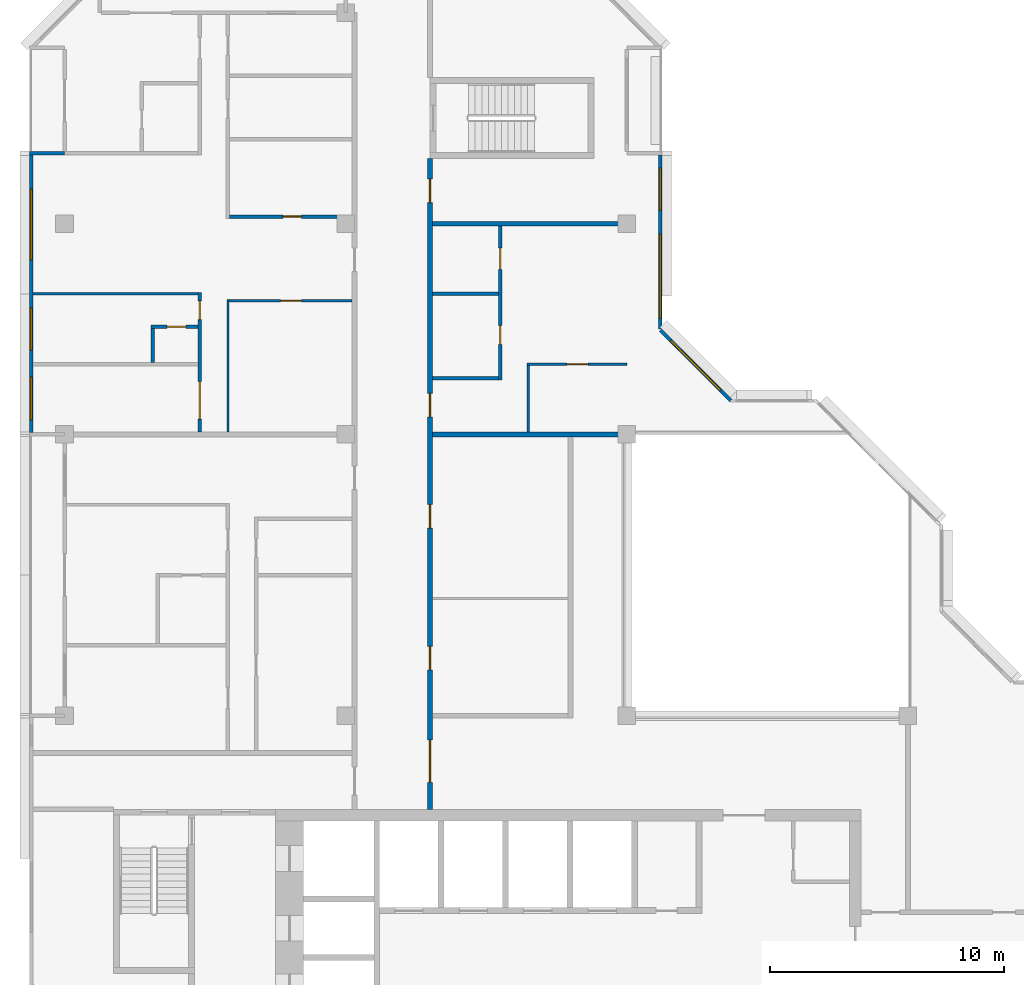
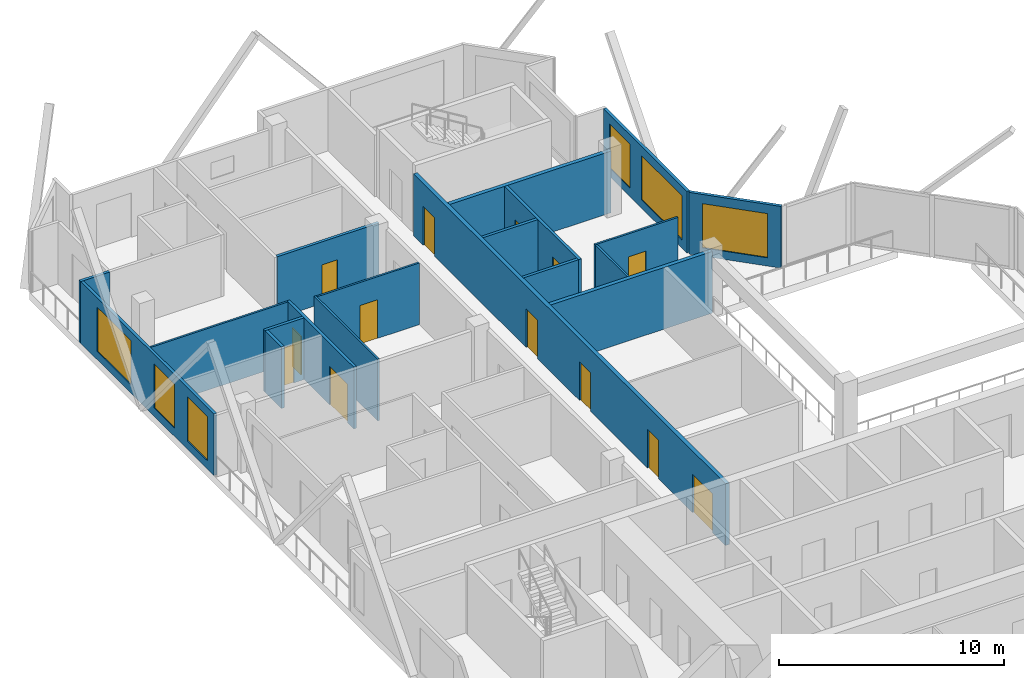
# One storey, part 8 of 12: 19 walls, 13 doors, 6 windows, 19 openings.
"""IFC4 building model written with IfcOpenShell, lengths in metres."""

from ifc_helpers import new_model, si_unit, direction, frame, frame_2d, origin, place, context, subcontext, project, spatial, rectangle, extrude, material, layer, layer_set, type_object, element, fill, save


model = new_model("IFC4")

# Units and contexts
model_context = context("Model", 3, precision=1e-05, world=origin(), true_north=direction((0.0, 1.0)))
body_context = subcontext(model_context, "Body", "Model", "MODEL_VIEW")
ifc_project = project(units=[si_unit("LENGTHUNIT", "METRE"), si_unit("AREAUNIT", "SQUARE_METRE"), si_unit("VOLUMEUNIT", "CUBIC_METRE"), si_unit("PLANEANGLEUNIT", "RADIAN"), si_unit("MASSUNIT", "GRAM", prefix="KILO")], contexts=[model_context])

# Site, building, storey
site_placement = place(None, origin())
site = spatial("IfcSite", under=ifc_project, at=site_placement, CompositionType="ELEMENT")
building_placement = place(site_placement, origin())
building = spatial("IfcBuilding", under=site, at=building_placement, Name="Chenar Terraces", CompositionType="ELEMENT")
storey_placement = place(building_placement, frame((0.0, 0.0, 353.89990234375)))
storey = spatial("IfcBuildingStorey", under=building, at=storey_placement, Name="L82", CompositionType="ELEMENT", Elevation=353.89990234375)

# Wall, openings, doors
ifc_material_1 = material(Name="Gypsum board on steel studs with fire boards", Category="steel")
ifc_layer_1 = layer(ifc_material_1, 0.199951171875)
ifc_layer_set_1 = layer_set([ifc_layer_1], Name="Gypsum board on steel studs with fire boards")
wall_type_1 = type_object("IfcWallType", Name="Corridor wall 200", PredefinedType="PARTITIONING", material=ifc_layer_set_1)
wall_1_placement = place(storey_placement, frame((15.60009765625, 20.0, 0.0), z_axis=(0.0, 0.0, 1.0), x_axis=(0.0, 1.0, 0.0)))
wall_1 = element("IfcWall", 1, at=wall_1_placement, inside=storey, type_object=wall_type_1, Name="Partition L82-034", PredefinedType="PARTITIONING", context=body_context, shape_type="SweptSolid", body=[
    extrude(rectangle(XDim=27.77490234375, YDim=0.199951171875, at=frame_2d((13.887451171875, 0.0))), origin(), (0.0, 0.0, 1.0), 3.35009765625),
])
opening_1_placement = place(wall_1_placement, frame((5.949951171875, 0.0, 0.0)))
opening_1 = element("IfcOpeningElement", 2, at=opening_1_placement, cuts=wall_1, Name="Opening DL82-1", PredefinedType="OPENING", context=body_context, shape_type="SweptSolid", body=[
    extrude(rectangle(XDim=1.0, YDim=2.10009765625, at=frame_2d((0.5, 1.050048828125))), frame((0.0, 0.10986328125, 0.0), z_axis=(0.0, -1.0, 0.0), x_axis=(1.0, 0.0, 0.0)), (0.0, 0.0, 1.0), 0.219970703125),
])
opening_2_placement = place(wall_1_placement, frame((12.0, 0.0, 0.0)))
opening_2 = element("IfcOpeningElement", 3, at=opening_2_placement, cuts=wall_1, Name="Opening DL82-2", PredefinedType="OPENING", context=body_context, shape_type="SweptSolid", body=[
    extrude(rectangle(XDim=1.0, YDim=2.10009765625, at=frame_2d((0.5, 1.050048828125))), frame((0.0, 0.10986328125, 0.0), z_axis=(0.0, -1.0, 0.0), x_axis=(1.0, 0.0, 0.0)), (0.0, 0.0, 1.0), 0.219970703125),
])
opening_3_placement = place(wall_1_placement, frame((16.75, 0.0, 0.0)))
opening_3 = element("IfcOpeningElement", 4, at=opening_3_placement, cuts=wall_1, Name="Opening DL82-7", PredefinedType="OPENING", context=body_context, shape_type="SweptSolid", body=[
    extrude(rectangle(XDim=1.0, YDim=2.10009765625, at=frame_2d((0.5, 1.050048828125))), frame((0.0, 0.10986328125, 0.0), z_axis=(0.0, -1.0, 0.0), x_axis=(1.0, 0.0, 0.0)), (0.0, 0.0, 1.0), 0.219970703125),
])
opening_4_placement = place(wall_1_placement, frame((1.14990234375, 0.0, 0.0)))
opening_4 = element("IfcOpeningElement", 5, at=opening_4_placement, cuts=wall_1, Name="Opening DL82-19", PredefinedType="OPENING", context=body_context, shape_type="SweptSolid", body=[
    extrude(rectangle(XDim=1.800048828125, YDim=2.10009765625, at=frame_2d((0.89990234375, 1.050048828125))), frame((0.0, 0.10986328125, 0.0), z_axis=(0.0, -1.0, 0.0), x_axis=(1.0, 0.0, 0.0)), (0.0, 0.0, 1.0), 0.219970703125),
])
opening_5_placement = place(wall_1_placement, frame((25.89990234375, 0.0, 0.0)))
opening_5 = element("IfcOpeningElement", 6, at=opening_5_placement, cuts=wall_1, Name="Opening DL82-22", PredefinedType="OPENING", context=body_context, shape_type="SweptSolid", body=[
    extrude(rectangle(XDim=1.0, YDim=2.10009765625, at=frame_2d((0.5, 1.050048828125))), frame((0.0, 0.10986328125, 0.0), z_axis=(0.0, -1.0, 0.0), x_axis=(1.0, 0.0, 0.0)), (0.0, 0.0, 1.0), 0.219970703125),
])
ifc_material_2 = material(Name="Steel-framed fire-resisting door leaf", Category="steel")
door_type_1 = type_object("IfcDoorType", Name="Fire door FD60 1000 x 2100", OperationType="SINGLE_SWING_LEFT", PredefinedType="DOOR", material=ifc_material_2)
door_1_placement = place(opening_1_placement, frame((1.0, 0.0, 0.0), z_axis=(0.0, 0.0, 1.0), x_axis=(-1.0, 0.0, 0.0)))
door_1 = element("IfcDoor", 7, at=door_1_placement, inside=storey, type_object=door_type_1, Name="Door DL82-1", OperationType="SINGLE_SWING_LEFT", OverallHeight=2.10009765625, OverallWidth=1.0, PredefinedType="DOOR", context=body_context, shape_type="SweptSolid", body=[
    extrude(rectangle(XDim=1.0, YDim=2.10009765625, at=frame_2d((0.5, 1.050048828125))), frame((0.0, 0.02490234375, 0.0), z_axis=(0.0, -1.0, 0.0), x_axis=(1.0, 0.0, 0.0)), (0.0, 0.0, 1.0), 0.050048828125),
])
fill(opening_1, door_1)
door_2_placement = place(opening_2_placement, frame((1.0, 0.0, 0.0), z_axis=(0.0, 0.0, 1.0), x_axis=(-1.0, 0.0, 0.0)))
door_2 = element("IfcDoor", 8, at=door_2_placement, inside=storey, type_object=door_type_1, Name="Door DL82-2", OperationType="SINGLE_SWING_LEFT", OverallHeight=2.10009765625, OverallWidth=1.0, PredefinedType="DOOR", context=body_context, shape_type="SweptSolid", body=[
    extrude(rectangle(XDim=1.0, YDim=2.10009765625, at=frame_2d((0.5, 1.050048828125))), frame((0.0, 0.02490234375, 0.0), z_axis=(0.0, -1.0, 0.0), x_axis=(1.0, 0.0, 0.0)), (0.0, 0.0, 1.0), 0.050048828125),
])
fill(opening_2, door_2)
door_3_placement = place(opening_3_placement, frame((1.0, 0.0, 0.0), z_axis=(0.0, 0.0, 1.0), x_axis=(-1.0, 0.0, 0.0)))
door_3 = element("IfcDoor", 9, at=door_3_placement, inside=storey, type_object=door_type_1, Name="Door DL82-7", OperationType="SINGLE_SWING_LEFT", OverallHeight=2.10009765625, OverallWidth=1.0, PredefinedType="DOOR", context=body_context, shape_type="SweptSolid", body=[
    extrude(rectangle(XDim=1.0, YDim=2.10009765625, at=frame_2d((0.5, 1.050048828125))), frame((0.0, 0.02490234375, 0.0), z_axis=(0.0, -1.0, 0.0), x_axis=(1.0, 0.0, 0.0)), (0.0, 0.0, 1.0), 0.050048828125),
])
fill(opening_3, door_3)
door_4_placement = place(opening_5_placement, frame((1.0, 0.0, 0.0), z_axis=(0.0, 0.0, 1.0), x_axis=(-1.0, 0.0, 0.0)))
door_4 = element("IfcDoor", 10, at=door_4_placement, inside=storey, type_object=door_type_1, Name="Door DL82-22", OperationType="SINGLE_SWING_RIGHT", OverallHeight=2.10009765625, OverallWidth=1.0, PredefinedType="DOOR", context=body_context, shape_type="SweptSolid", body=[
    extrude(rectangle(XDim=1.0, YDim=2.10009765625, at=frame_2d((0.5, 1.050048828125))), frame((0.0, 0.02490234375, 0.0), z_axis=(0.0, -1.0, 0.0), x_axis=(1.0, 0.0, 0.0)), (0.0, 0.0, 1.0), 0.050048828125),
])
fill(opening_5, door_4)
ifc_material_3 = material(Name="Steel-framed fire-resisting door leaf", Category="steel")
door_type_2 = type_object("IfcDoorType", Name="Fire double door FD60 1800 x 2100", OperationType="DOUBLE_DOOR_SINGLE_SWING", PredefinedType="DOOR", material=ifc_material_3)
door_5_placement = place(opening_4_placement, frame((1.800048828125, 0.0, 0.0), z_axis=(0.0, 0.0, 1.0), x_axis=(-1.0, 0.0, 0.0)))
door_5 = element("IfcDoor", 11, at=door_5_placement, inside=storey, type_object=door_type_2, Name="Door DL82-19", OperationType="DOUBLE_DOOR_SINGLE_SWING", OverallHeight=2.10009765625, OverallWidth=1.800048828125, PredefinedType="DOOR", context=body_context, shape_type="SweptSolid", body=[
    extrude(rectangle(XDim=1.800048828125, YDim=2.10009765625, at=frame_2d((0.89990234375, 1.050048828125))), frame((0.0, 0.02490234375, 0.0), z_axis=(0.0, -1.0, 0.0), x_axis=(1.0, 0.0, 0.0)), (0.0, 0.0, 1.0), 0.050048828125),
])
fill(opening_4, door_5)

# Wall, openings, windows
ifc_material_4 = material(Name="Aluminium framed glazing", Category="aluminium")
ifc_layer_2 = layer(ifc_material_4, 0.14990234375)
ifc_layer_set_2 = layer_set([ifc_layer_2], Name="Aluminium framed glazing")
wall_type_2 = type_object("IfcWallType", Name="Glazed flush facade wall 150", PredefinedType="SOLIDWALL", material=ifc_layer_set_2)
wall_2_placement = place(storey_placement, frame((25.425048828125, 40.5, 0.0), z_axis=(0.0, 0.0, 1.0), x_axis=(0.0, 1.0, 0.0)))
wall_2 = element("IfcWall", 12, at=wall_2_placement, inside=storey, type_object=wall_type_2, Name="Glazed flush facade wall", PredefinedType="SOLIDWALL", context=body_context, shape_type="SweptSolid", body=[
    extrude(rectangle(XDim=7.425048828125, YDim=0.14990234375, at=frame_2d((3.71240234375, 0.0))), origin(), (0.0, 0.0, 1.0), 3.35009765625),
])
opening_6_placement = place(wall_2_placement, frame((0.449951171875, 0.0, 0.449951171875)))
opening_6 = element("IfcOpeningElement", 13, at=opening_6_placement, cuts=wall_2, Name="Opening W360x240", PredefinedType="OPENING", context=body_context, shape_type="SweptSolid", body=[
    extrude(rectangle(XDim=3.60009765625, YDim=2.39990234375, at=frame_2d((1.800048828125, 1.199951171875))), frame((0.0, 0.0849609375, 0.0), z_axis=(0.0, -1.0, 0.0), x_axis=(1.0, 0.0, 0.0)), (0.0, 0.0, 1.0), 0.169921875),
])
opening_7_placement = place(wall_2_placement, frame((5.0625, 0.0, 0.449951171875)))
opening_7 = element("IfcOpeningElement", 14, at=opening_7_placement, cuts=wall_2, Name="Opening W180x240", PredefinedType="OPENING", context=body_context, shape_type="SweptSolid", body=[
    extrude(rectangle(XDim=1.800048828125, YDim=2.39990234375, at=frame_2d((0.89990234375, 1.199951171875))), frame((0.0, 0.0849609375, 0.0), z_axis=(0.0, -1.0, 0.0), x_axis=(1.0, 0.0, 0.0)), (0.0, 0.0, 1.0), 0.169921875),
])
ifc_material_5 = material(Name="Low emissivity double glazing, aluminium frame", Category="aluminium")
window_type_1 = type_object("IfcWindowType", Name="Fixed light 1800 x 2400", PartitioningType="SINGLE_PANEL", PredefinedType="WINDOW", material=ifc_material_5)
window_1_placement = place(opening_7_placement, origin())
window_1 = element("IfcWindow", 15, at=window_1_placement, inside=storey, type_object=window_type_1, Name="Window", OverallHeight=2.39990234375, OverallWidth=1.800048828125, PartitioningType="SINGLE_PANEL", PredefinedType="WINDOW", context=body_context, shape_type="SweptSolid", body=[
    extrude(rectangle(XDim=1.800048828125, YDim=2.39990234375, at=frame_2d((0.89990234375, 1.199951171875))), frame((0.0, 0.030029296875, 0.0), z_axis=(0.0, -1.0, 0.0), x_axis=(1.0, 0.0, 0.0)), (0.0, 0.0, 1.0), 0.06005859375),
])
fill(opening_7, window_1)
ifc_material_6 = material(Name="Low emissivity double glazing, aluminium frame", Category="aluminium")
window_type_2 = type_object("IfcWindowType", Name="Fixed light 3600 x 2400", PartitioningType="SINGLE_PANEL", PredefinedType="WINDOW", material=ifc_material_6)
window_2_placement = place(opening_6_placement, origin())
window_2 = element("IfcWindow", 16, at=window_2_placement, inside=storey, type_object=window_type_2, Name="Window", OverallHeight=2.39990234375, OverallWidth=3.60009765625, PartitioningType="SINGLE_PANEL", PredefinedType="WINDOW", context=body_context, shape_type="SweptSolid", body=[
    extrude(rectangle(XDim=3.60009765625, YDim=2.39990234375, at=frame_2d((1.800048828125, 1.199951171875))), frame((0.0, 0.030029296875, 0.0), z_axis=(0.0, -1.0, 0.0), x_axis=(1.0, 0.0, 0.0)), (0.0, 0.0, 1.0), 0.06005859375),
])
fill(opening_6, window_2)

wall_3_placement = place(storey_placement, frame((-1.425048828125, 47.925048828125, 0.0), z_axis=(0.0, 0.0, 1.0), x_axis=(0.0, -1.0, 0.0)))
wall_3 = element("IfcWall", 17, at=wall_3_placement, inside=storey, type_object=wall_type_2, Name="Glazed flush facade wall", PredefinedType="SOLIDWALL", context=body_context, shape_type="SweptSolid", body=[
    extrude(rectangle(XDim=11.85009765625, YDim=0.14990234375, at=frame_2d((5.925048828125, 0.0))), origin(), (0.0, 0.0, 1.0), 3.35009765625),
])
opening_8_placement = place(wall_3_placement, frame((1.46240234375, 0.0, 0.449951171875)))
opening_8 = element("IfcOpeningElement", 18, at=opening_8_placement, cuts=wall_3, Name="Opening W300x240", PredefinedType="OPENING", context=body_context, shape_type="SweptSolid", body=[
    extrude(rectangle(XDim=3.0, YDim=2.39990234375, at=frame_2d((1.5, 1.199951171875))), frame((0.0, 0.0849609375, 0.0), z_axis=(0.0, -1.0, 0.0), x_axis=(1.0, 0.0, 0.0)), (0.0, 0.0, 1.0), 0.169921875),
])
opening_9_placement = place(wall_3_placement, frame((6.52490234375, 0.0, 0.449951171875)))
opening_9 = element("IfcOpeningElement", 19, at=opening_9_placement, cuts=wall_3, Name="Opening W180x240", PredefinedType="OPENING", context=body_context, shape_type="SweptSolid", body=[
    extrude(rectangle(XDim=1.800048828125, YDim=2.39990234375, at=frame_2d((0.89990234375, 1.199951171875))), frame((0.0, 0.0849609375, 0.0), z_axis=(0.0, -1.0, 0.0), x_axis=(1.0, 0.0, 0.0)), (0.0, 0.0, 1.0), 0.169921875),
])
opening_10_placement = place(wall_3_placement, frame((9.487548828125, 0.0, 0.449951171875)))
opening_10 = element("IfcOpeningElement", 20, at=opening_10_placement, cuts=wall_3, Name="Opening W180x240", PredefinedType="OPENING", context=body_context, shape_type="SweptSolid", body=[
    extrude(rectangle(XDim=1.800048828125, YDim=2.39990234375, at=frame_2d((0.89990234375, 1.199951171875))), frame((0.0, 0.0849609375, 0.0), z_axis=(0.0, -1.0, 0.0), x_axis=(1.0, 0.0, 0.0)), (0.0, 0.0, 1.0), 0.169921875),
])
window_3_placement = place(opening_9_placement, origin())
window_3 = element("IfcWindow", 21, at=window_3_placement, inside=storey, type_object=window_type_1, Name="Window", OverallHeight=2.39990234375, OverallWidth=1.800048828125, PartitioningType="SINGLE_PANEL", PredefinedType="WINDOW", context=body_context, shape_type="SweptSolid", body=[
    extrude(rectangle(XDim=1.800048828125, YDim=2.39990234375, at=frame_2d((0.89990234375, 1.199951171875))), frame((0.0, 0.030029296875, 0.0), z_axis=(0.0, -1.0, 0.0), x_axis=(1.0, 0.0, 0.0)), (0.0, 0.0, 1.0), 0.06005859375),
])
fill(opening_9, window_3)
window_4_placement = place(opening_10_placement, origin())
window_4 = element("IfcWindow", 22, at=window_4_placement, inside=storey, type_object=window_type_1, Name="Window", OverallHeight=2.39990234375, OverallWidth=1.800048828125, PartitioningType="SINGLE_PANEL", PredefinedType="WINDOW", context=body_context, shape_type="SweptSolid", body=[
    extrude(rectangle(XDim=1.800048828125, YDim=2.39990234375, at=frame_2d((0.89990234375, 1.199951171875))), frame((0.0, 0.030029296875, 0.0), z_axis=(0.0, -1.0, 0.0), x_axis=(1.0, 0.0, 0.0)), (0.0, 0.0, 1.0), 0.06005859375),
])
fill(opening_10, window_4)
ifc_material_7 = material(Name="Low emissivity double glazing, aluminium frame", Category="aluminium")
window_type_3 = type_object("IfcWindowType", Name="Fixed light 3000 x 2400", PartitioningType="SINGLE_PANEL", PredefinedType="WINDOW", material=ifc_material_7)
window_5_placement = place(opening_8_placement, origin())
window_5 = element("IfcWindow", 23, at=window_5_placement, inside=storey, type_object=window_type_3, Name="Window", OverallHeight=2.39990234375, OverallWidth=3.0, PartitioningType="SINGLE_PANEL", PredefinedType="WINDOW", context=body_context, shape_type="SweptSolid", body=[
    extrude(rectangle(XDim=3.0, YDim=2.39990234375, at=frame_2d((1.5, 1.199951171875))), frame((0.0, 0.030029296875, 0.0), z_axis=(0.0, -1.0, 0.0), x_axis=(1.0, 0.0, 0.0)), (0.0, 0.0, 1.0), 0.06005859375),
])
fill(opening_8, window_5)

# Walls
ifc_material_8 = material(Name="Gypsum board on steel studs", Category="steel")
ifc_layer_3 = layer(ifc_material_8, 0.10009765625)
ifc_layer_set_3 = layer_set([ifc_layer_3], Name="Gypsum board on steel studs")
wall_type_3 = type_object("IfcWallType", Name="Gypsum partition 100", PredefinedType="PARTITIONING", material=ifc_layer_set_3)
wall_4_placement = place(storey_placement, frame((-1.35009765625, 42.0, 0.0), z_axis=(0.0, 0.0, 1.0), x_axis=(1.0, 0.0, 0.0)))
element("IfcWall", 24, at=wall_4_placement, inside=storey, type_object=wall_type_3, Name="Partition L82-005", PredefinedType="PARTITIONING", context=body_context, shape_type="SweptSolid", body=[
    extrude(rectangle(XDim=7.050048828125, YDim=0.10009765625, at=frame_2d((3.52490234375, 0.0))), origin(), (0.0, 0.0, 1.0), 3.35009765625),
])
wall_5_placement = place(storey_placement, frame((6.97509765625, 36.10009765625, 0.0), z_axis=(0.0, 0.0, 1.0), x_axis=(0.0, 1.0, 0.0)))
element("IfcWall", 25, at=wall_5_placement, inside=storey, type_object=wall_type_3, Name="Partition L82-019", PredefinedType="PARTITIONING", context=body_context, shape_type="SweptSolid", body=[
    extrude(rectangle(XDim=5.64990234375, YDim=0.10009765625, at=frame_2d((2.824951171875, 0.0))), origin(), (0.0, 0.0, 1.0), 3.35009765625),
])

# Wall, opening, door
wall_6_placement = place(storey_placement, frame((7.02490234375, 41.699951171875, 0.0), z_axis=(0.0, 0.0, 1.0), x_axis=(1.0, 0.0, 0.0)))
wall_6 = element("IfcWall", 26, at=wall_6_placement, inside=storey, type_object=wall_type_3, Name="Partition L82-021", PredefinedType="PARTITIONING", context=body_context, shape_type="SweptSolid", body=[
    extrude(rectangle(XDim=5.25, YDim=0.10009765625, at=frame_2d((2.625, 0.0))), origin(), (0.0, 0.0, 1.0), 3.35009765625),
])
opening_11_placement = place(wall_6_placement, frame((2.199951171875, 0.0, 0.0)))
opening_11 = element("IfcOpeningElement", 27, at=opening_11_placement, cuts=wall_6, Name="Opening DL82-11", PredefinedType="OPENING", context=body_context, shape_type="SweptSolid", body=[
    extrude(rectangle(XDim=0.89990234375, YDim=2.10009765625, at=frame_2d((0.449951171875, 1.050048828125))), frame((0.0, 0.06005859375, 0.0), z_axis=(0.0, -1.0, 0.0), x_axis=(1.0, 0.0, 0.0)), (0.0, 0.0, 1.0), 0.1201171875),
])
ifc_material_9 = material(Name="Veneered timber door leaf", Category="wood")
door_type_3 = type_object("IfcDoorType", Name="Door 900 x 2100", OperationType="SINGLE_SWING_LEFT", PredefinedType="DOOR", material=ifc_material_9)
door_6_placement = place(opening_11_placement, frame((0.89990234375, 0.0, 0.0), z_axis=(0.0, 0.0, 1.0), x_axis=(-1.0, 0.0, 0.0)))
door_6 = element("IfcDoor", 28, at=door_6_placement, inside=storey, type_object=door_type_3, Name="Door DL82-11", OperationType="SINGLE_SWING_LEFT", OverallHeight=2.10009765625, OverallWidth=0.89990234375, PredefinedType="DOOR", context=body_context, shape_type="SweptSolid", body=[
    extrude(rectangle(XDim=0.89990234375, YDim=2.10009765625, at=frame_2d((0.449951171875, 1.050048828125))), frame((0.0, 0.02490234375, 0.0), z_axis=(0.0, -1.0, 0.0), x_axis=(1.0, 0.0, 0.0)), (0.0, 0.0, 1.0), 0.050048828125),
])
fill(opening_11, door_6)

wall_7_placement = place(storey_placement, frame((19.75, 39.0, 0.0), z_axis=(0.0, 0.0, 1.0), x_axis=(1.0, 0.0, 0.0)))
wall_7 = element("IfcWall", 29, at=wall_7_placement, inside=storey, type_object=wall_type_3, Name="Partition L82-044", PredefinedType="PARTITIONING", context=body_context, shape_type="SweptSolid", body=[
    extrude(rectangle(XDim=4.25, YDim=0.10009765625, at=frame_2d((2.125, 0.0))), origin(), (0.0, 0.0, 1.0), 3.35009765625),
])
opening_12_placement = place(wall_7_placement, frame((1.699951171875, 0.0, 0.0)))
opening_12 = element("IfcOpeningElement", 30, at=opening_12_placement, cuts=wall_7, Name="Opening DL82-5", PredefinedType="OPENING", context=body_context, shape_type="SweptSolid", body=[
    extrude(rectangle(XDim=0.89990234375, YDim=2.10009765625, at=frame_2d((0.449951171875, 1.050048828125))), frame((0.0, 0.06005859375, 0.0), z_axis=(0.0, -1.0, 0.0), x_axis=(1.0, 0.0, 0.0)), (0.0, 0.0, 1.0), 0.1201171875),
])
door_7_placement = place(opening_12_placement, frame((0.89990234375, 0.0, 0.0), z_axis=(0.0, 0.0, 1.0), x_axis=(-1.0, 0.0, 0.0)))
door_7 = element("IfcDoor", 31, at=door_7_placement, inside=storey, type_object=door_type_3, Name="Door DL82-5", OperationType="SINGLE_SWING_RIGHT", OverallHeight=2.10009765625, OverallWidth=0.89990234375, PredefinedType="DOOR", context=body_context, shape_type="SweptSolid", body=[
    extrude(rectangle(XDim=0.89990234375, YDim=2.10009765625, at=frame_2d((0.449951171875, 1.050048828125))), frame((0.0, 0.02490234375, 0.0), z_axis=(0.0, -1.0, 0.0), x_axis=(1.0, 0.0, 0.0)), (0.0, 0.0, 1.0), 0.050048828125),
])
fill(opening_12, door_7)

# Walls
wall_8_placement = place(storey_placement, frame((19.800048828125, 36.10009765625, 0.0), z_axis=(0.0, 0.0, 1.0), x_axis=(0.0, 1.0, 0.0)))
element("IfcWall", 32, at=wall_8_placement, inside=storey, type_object=wall_type_3, Name="Partition L82-045", PredefinedType="PARTITIONING", context=body_context, shape_type="SweptSolid", body=[
    extrude(rectangle(XDim=2.849853515625, YDim=0.10009765625, at=frame_2d((1.4248046875, 0.0))), origin(), (0.0, 0.0, 1.0), 3.35009765625),
])
ifc_material_10 = material(Name="Terracotta cladding on insulated backing", Category="masonry")
ifc_layer_4 = layer(ifc_material_10, 0.14990234375)
ifc_layer_set_4 = layer_set([ifc_layer_4], Name="Terracotta cladding on insulated backing")
wall_type_4 = type_object("IfcWallType", Name="Loggia return wall 150", PredefinedType="SOLIDWALL", material=ifc_layer_set_4)
wall_9_placement = place(storey_placement, frame((-1.5, 48.0, 0.0), z_axis=(0.0, 0.0, 1.0), x_axis=(1.0, 0.0, 0.0)))
element("IfcWall", 33, at=wall_9_placement, inside=storey, type_object=wall_type_4, Name="Loggia return wall", PredefinedType="SOLIDWALL", context=body_context, shape_type="SweptSolid", body=[
    extrude(rectangle(XDim=1.5, YDim=0.14990234375, at=frame_2d((0.75, 0.0))), origin(), (0.0, 0.0, 1.0), 3.35009765625),
])

# Wall, opening, window
ifc_material_11 = material(Name="Terracotta cladding on insulated backing", Category="masonry")
ifc_layer_5 = layer(ifc_material_11, 0.14990234375)
ifc_layer_set_5 = layer_set([ifc_layer_5], Name="Terracotta cladding on insulated backing")
wall_type_5 = type_object("IfcWallType", Name="Terracotta rainscreen wall 150", PredefinedType="SOLIDWALL", material=ifc_layer_set_5)
wall_10_placement = place(storey_placement, frame((28.447021484375, 37.447021484375, 0.0), z_axis=(0.0, 0.0, 1.0), x_axis=(-0.707106781187, 0.707106781187, 0.0)))
wall_10 = element("IfcWall", 34, at=wall_10_placement, inside=storey, type_object=wall_type_5, Name="Terracotta rainscreen wall", PredefinedType="SOLIDWALL", context=body_context, shape_type="SweptSolid", body=[
    extrude(rectangle(XDim=4.24267578125, YDim=0.14990234375, at=frame_2d((2.121337890625, 0.0))), origin(), (0.0, 0.0, 1.0), 3.35009765625),
])
opening_13_placement = place(wall_10_placement, frame((0.621337890625, 0.0, 0.449951171875)))
opening_13 = element("IfcOpeningElement", 35, at=opening_13_placement, cuts=wall_10, Name="Opening W300x240", PredefinedType="OPENING", context=body_context, shape_type="SweptSolid", body=[
    extrude(rectangle(XDim=3.0, YDim=2.39990234375, at=frame_2d((1.5, 1.199951171875))), frame((0.0, 0.0849609375, 0.0), z_axis=(0.0, -1.0, 0.0), x_axis=(1.0, 0.0, 0.0)), (0.0, 0.0, 1.0), 0.169921875),
])
window_6_placement = place(opening_13_placement, origin())
window_6 = element("IfcWindow", 36, at=window_6_placement, inside=storey, type_object=window_type_3, Name="Window", OverallHeight=2.39990234375, OverallWidth=3.0, PartitioningType="SINGLE_PANEL", PredefinedType="WINDOW", context=body_context, shape_type="SweptSolid", body=[
    extrude(rectangle(XDim=3.0, YDim=2.39990234375, at=frame_2d((1.5, 1.199951171875))), frame((0.0, 0.030029296875, 0.0), z_axis=(0.0, -1.0, 0.0), x_axis=(1.0, 0.0, 0.0)), (0.0, 0.0, 1.0), 0.06005859375),
])
fill(opening_13, window_6)

# Walls
ifc_material_12 = material(Name="Twin gypsum board on steel studs with mineral wool", Category="steel")
ifc_layer_6 = layer(ifc_material_12, 0.199951171875)
ifc_layer_set_6 = layer_set([ifc_layer_6], Name="Twin gypsum board on steel studs with mineral wool")
wall_type_6 = type_object("IfcWallType", Name="Unit demising wall 200", PredefinedType="PARTITIONING", material=ifc_layer_set_6)
for number, where, z_axis, x_axis, name in (
    (37, (15.699951171875, 36.0, 0.0), (0.0, 0.0, 1.0), (1.0, 0.0, 0.0), "Partition L82-038"),
    (38, (15.699951171875, 45.0, 0.0), (0.0, 0.0, 1.0), (1.0, 0.0, 0.0), "Partition L82-041"),
):
    element("IfcWall", number, at=place(storey_placement, frame(where, z_axis=z_axis, x_axis=x_axis)), inside=storey, type_object=wall_type_6, Name=name, PredefinedType="PARTITIONING", context=body_context, shape_type="SweptSolid", body=[
        extrude(rectangle(XDim=8.300048828125, YDim=0.199951171875, at=frame_2d((4.14990234375, 0.0))), origin(), (0.0, 0.0, 1.0), 3.35009765625),
    ])

# Wall, opening, door
ifc_material_13 = material(Name="Moisture-resistant gypsum board on steel studs", Category="steel")
ifc_layer_7 = layer(ifc_material_13, 0.14990234375)
ifc_layer_set_7 = layer_set([ifc_layer_7], Name="Moisture-resistant gypsum board on steel studs")
wall_type_7 = type_object("IfcWallType", Name="Wet-room partition 150", PredefinedType="PARTITIONING", material=ifc_layer_set_7)
wall_11_placement = place(storey_placement, frame((3.699951171875, 40.60009765625, 0.0), z_axis=(0.0, 0.0, 1.0), x_axis=(1.0, 0.0, 0.0)))
wall_11 = element("IfcWall", 39, at=wall_11_placement, inside=storey, type_object=wall_type_7, Name="Partition L82-012", PredefinedType="PARTITIONING", context=body_context, shape_type="SweptSolid", body=[
    extrude(rectangle(XDim=2.0, YDim=0.14990234375, at=frame_2d((1.0, 0.0))), origin(), (0.0, 0.0, 1.0), 3.35009765625),
])
opening_14_placement = place(wall_11_placement, frame((0.675048828125, 0.0, 0.0)))
opening_14 = element("IfcOpeningElement", 40, at=opening_14_placement, cuts=wall_11, Name="Opening DL82-15", PredefinedType="OPENING", context=body_context, shape_type="SweptSolid", body=[
    extrude(rectangle(XDim=0.800048828125, YDim=2.10009765625, at=frame_2d((0.39990234375, 1.050048828125))), frame((0.0, 0.0849609375, 0.0), z_axis=(0.0, -1.0, 0.0), x_axis=(1.0, 0.0, 0.0)), (0.0, 0.0, 1.0), 0.169921875),
])
ifc_material_14 = material(Name="Veneered timber door leaf", Category="wood")
door_type_4 = type_object("IfcDoorType", Name="Door 800 x 2100", OperationType="SINGLE_SWING_LEFT", PredefinedType="DOOR", material=ifc_material_14)
door_8_placement = place(opening_14_placement, frame((0.800048828125, 0.0, 0.0), z_axis=(0.0, 0.0, 1.0), x_axis=(-1.0, 0.0, 0.0)))
door_8 = element("IfcDoor", 41, at=door_8_placement, inside=storey, type_object=door_type_4, Name="Door DL82-15", OperationType="SINGLE_SWING_RIGHT", OverallHeight=2.10009765625, OverallWidth=0.800048828125, PredefinedType="DOOR", context=body_context, shape_type="SweptSolid", body=[
    extrude(rectangle(XDim=0.800048828125, YDim=2.10009765625, at=frame_2d((0.39990234375, 1.050048828125))), frame((0.0, 0.02490234375, 0.0), z_axis=(0.0, -1.0, 0.0), x_axis=(1.0, 0.0, 0.0)), (0.0, 0.0, 1.0), 0.050048828125),
])
fill(opening_14, door_8)

# Wall
wall_12_placement = place(storey_placement, frame((3.77490234375, 39.074951171875, 0.0), z_axis=(0.0, 0.0, 1.0), x_axis=(0.0, 1.0, 0.0)))
element("IfcWall", 42, at=wall_12_placement, inside=storey, type_object=wall_type_7, Name="Partition L82-013", PredefinedType="PARTITIONING", context=body_context, shape_type="SweptSolid", body=[
    extrude(rectangle(XDim=1.449951171875, YDim=0.14990234375, at=frame_2d((0.72509765625, 0.0))), origin(), (0.0, 0.0, 1.0), 3.35009765625),
])

# Wall, openings, doors
wall_13_placement = place(storey_placement, frame((5.77490234375, 36.10009765625, 0.0), z_axis=(0.0, 0.0, 1.0), x_axis=(0.0, 1.0, 0.0)))
wall_13 = element("IfcWall", 43, at=wall_13_placement, inside=storey, type_object=wall_type_7, Name="Partition L82-016", PredefinedType="PARTITIONING", context=body_context, shape_type="SweptSolid", body=[
    extrude(rectangle(XDim=5.949951171875, YDim=0.14990234375, at=frame_2d((2.97509765625, 0.0))), origin(), (0.0, 0.0, 1.0), 3.35009765625),
])
opening_15_placement = place(wall_13_placement, frame((4.800048828125, 0.0, 0.0)))
opening_15 = element("IfcOpeningElement", 44, at=opening_15_placement, cuts=wall_13, Name="Opening DL82-14", PredefinedType="OPENING", context=body_context, shape_type="SweptSolid", body=[
    extrude(rectangle(XDim=0.800048828125, YDim=2.10009765625, at=frame_2d((0.39990234375, 1.050048828125))), frame((0.0, 0.0849609375, 0.0), z_axis=(0.0, -1.0, 0.0), x_axis=(1.0, 0.0, 0.0)), (0.0, 0.0, 1.0), 0.169921875),
])
opening_16_placement = place(wall_13_placement, frame((0.550048828125, 0.0, 0.0)))
opening_16 = element("IfcOpeningElement", 45, at=opening_16_placement, cuts=wall_13, Name="Opening DL82-16", PredefinedType="OPENING", context=body_context, shape_type="SweptSolid", body=[
    extrude(rectangle(XDim=1.60009765625, YDim=2.10009765625, at=frame_2d((0.800048828125, 1.050048828125))), frame((0.0, 0.0849609375, 0.0), z_axis=(0.0, -1.0, 0.0), x_axis=(1.0, 0.0, 0.0)), (0.0, 0.0, 1.0), 0.169921875),
])
door_9_placement = place(opening_15_placement, origin())
door_9 = element("IfcDoor", 46, at=door_9_placement, inside=storey, type_object=door_type_4, Name="Door DL82-14", OperationType="SINGLE_SWING_RIGHT", OverallHeight=2.10009765625, OverallWidth=0.800048828125, PredefinedType="DOOR", context=body_context, shape_type="SweptSolid", body=[
    extrude(rectangle(XDim=0.800048828125, YDim=2.10009765625, at=frame_2d((0.39990234375, 1.050048828125))), frame((0.0, 0.02490234375, 0.0), z_axis=(0.0, -1.0, 0.0), x_axis=(1.0, 0.0, 0.0)), (0.0, 0.0, 1.0), 0.050048828125),
])
fill(opening_15, door_9)
ifc_material_15 = material(Name="Veneered timber door leaf", Category="wood")
door_type_5 = type_object("IfcDoorType", Name="Double door 1600 x 2100", OperationType="DOUBLE_DOOR_SINGLE_SWING", PredefinedType="DOOR", material=ifc_material_15)
door_10_placement = place(opening_16_placement, origin())
door_10 = element("IfcDoor", 47, at=door_10_placement, inside=storey, type_object=door_type_5, Name="Door DL82-16", OperationType="DOUBLE_DOOR_SINGLE_SWING", OverallHeight=2.10009765625, OverallWidth=1.60009765625, PredefinedType="DOOR", context=body_context, shape_type="SweptSolid", body=[
    extrude(rectangle(XDim=1.60009765625, YDim=2.10009765625, at=frame_2d((0.800048828125, 1.050048828125))), frame((0.0, 0.02490234375, 0.0), z_axis=(0.0, -1.0, 0.0), x_axis=(1.0, 0.0, 0.0)), (0.0, 0.0, 1.0), 0.050048828125),
])
fill(opening_16, door_10)

# Wall, opening, door
wall_14_placement = place(storey_placement, frame((7.050048828125, 45.300048828125, 0.0), z_axis=(0.0, 0.0, 1.0), x_axis=(1.0, 0.0, 0.0)))
wall_14 = element("IfcWall", 48, at=wall_14_placement, inside=storey, type_object=wall_type_7, Name="Partition L82-022", PredefinedType="PARTITIONING", context=body_context, shape_type="SweptSolid", body=[
    extrude(rectangle(XDim=5.224853515625, YDim=0.14990234375, at=frame_2d((2.6123046875, 0.0))), origin(), (0.0, 0.0, 1.0), 3.35009765625),
])
opening_17_placement = place(wall_14_placement, frame((2.27490234375, 0.0, 0.0)))
opening_17 = element("IfcOpeningElement", 49, at=opening_17_placement, cuts=wall_14, Name="Opening DL82-17", PredefinedType="OPENING", context=body_context, shape_type="SweptSolid", body=[
    extrude(rectangle(XDim=0.800048828125, YDim=2.10009765625, at=frame_2d((0.39990234375, 1.050048828125))), frame((0.0, 0.0849609375, 0.0), z_axis=(0.0, -1.0, 0.0), x_axis=(1.0, 0.0, 0.0)), (0.0, 0.0, 1.0), 0.169921875),
])
door_11_placement = place(opening_17_placement, origin())
door_11 = element("IfcDoor", 50, at=door_11_placement, inside=storey, type_object=door_type_4, Name="Door DL82-17", OperationType="SINGLE_SWING_LEFT", OverallHeight=2.10009765625, OverallWidth=0.800048828125, PredefinedType="DOOR", context=body_context, shape_type="SweptSolid", body=[
    extrude(rectangle(XDim=0.800048828125, YDim=2.10009765625, at=frame_2d((0.39990234375, 1.050048828125))), frame((0.0, 0.02490234375, 0.0), z_axis=(0.0, -1.0, 0.0), x_axis=(1.0, 0.0, 0.0)), (0.0, 0.0, 1.0), 0.050048828125),
])
fill(opening_17, door_11)

# Walls
for number, where, z_axis, x_axis, name in (
    (51, (15.699951171875, 38.39990234375, 0.0), (0.0, 0.0, 1.0), (1.0, 0.0, 0.0), "Partition L82-039"),
    (52, (15.699951171875, 42.0, 0.0), (0.0, 0.0, 1.0), (1.0, 0.0, 0.0), "Partition L82-040"),
):
    element("IfcWall", number, at=place(storey_placement, frame(where, z_axis=z_axis, x_axis=x_axis)), inside=storey, type_object=wall_type_7, Name=name, PredefinedType="PARTITIONING", context=body_context, shape_type="SweptSolid", body=[
        extrude(rectangle(XDim=2.824951171875, YDim=0.14990234375, at=frame_2d((1.41259765625, 0.0))), origin(), (0.0, 0.0, 1.0), 3.35009765625),
    ])

# Wall, openings, doors
wall_15_placement = place(storey_placement, frame((18.60009765625, 38.324951171875, 0.0), z_axis=(0.0, 0.0, 1.0), x_axis=(0.0, 1.0, 0.0)))
wall_15 = element("IfcWall", 53, at=wall_15_placement, inside=storey, type_object=wall_type_7, Name="Partition L82-043", PredefinedType="PARTITIONING", context=body_context, shape_type="SweptSolid", body=[
    extrude(rectangle(XDim=6.574951171875, YDim=0.14990234375, at=frame_2d((3.28759765625, 0.0))), origin(), (0.0, 0.0, 1.0), 3.35009765625),
])
opening_18_placement = place(wall_15_placement, frame((1.52490234375, 0.0, 0.0)))
opening_18 = element("IfcOpeningElement", 54, at=opening_18_placement, cuts=wall_15, Name="Opening DL82-4", PredefinedType="OPENING", context=body_context, shape_type="SweptSolid", body=[
    extrude(rectangle(XDim=0.800048828125, YDim=2.10009765625, at=frame_2d((0.39990234375, 1.050048828125))), frame((0.0, 0.0849609375, 0.0), z_axis=(0.0, -1.0, 0.0), x_axis=(1.0, 0.0, 0.0)), (0.0, 0.0, 1.0), 0.169921875),
])
opening_19_placement = place(wall_15_placement, frame((4.72509765625, 0.0, 0.0)))
opening_19 = element("IfcOpeningElement", 55, at=opening_19_placement, cuts=wall_15, Name="Opening DL82-6", PredefinedType="OPENING", context=body_context, shape_type="SweptSolid", body=[
    extrude(rectangle(XDim=0.89990234375, YDim=2.10009765625, at=frame_2d((0.449951171875, 1.050048828125))), frame((0.0, 0.0849609375, 0.0), z_axis=(0.0, -1.0, 0.0), x_axis=(1.0, 0.0, 0.0)), (0.0, 0.0, 1.0), 0.169921875),
])
door_12_placement = place(opening_18_placement, origin())
door_12 = element("IfcDoor", 56, at=door_12_placement, inside=storey, type_object=door_type_4, Name="Door DL82-4", OperationType="SINGLE_SWING_RIGHT", OverallHeight=2.10009765625, OverallWidth=0.800048828125, PredefinedType="DOOR", context=body_context, shape_type="SweptSolid", body=[
    extrude(rectangle(XDim=0.800048828125, YDim=2.10009765625, at=frame_2d((0.39990234375, 1.050048828125))), frame((0.0, 0.02490234375, 0.0), z_axis=(0.0, -1.0, 0.0), x_axis=(1.0, 0.0, 0.0)), (0.0, 0.0, 1.0), 0.050048828125),
])
fill(opening_18, door_12)
door_13_placement = place(opening_19_placement, origin())
door_13 = element("IfcDoor", 57, at=door_13_placement, inside=storey, type_object=door_type_3, Name="Door DL82-6", OperationType="SINGLE_SWING_LEFT", OverallHeight=2.10009765625, OverallWidth=0.89990234375, PredefinedType="DOOR", context=body_context, shape_type="SweptSolid", body=[
    extrude(rectangle(XDim=0.89990234375, YDim=2.10009765625, at=frame_2d((0.449951171875, 1.050048828125))), frame((0.0, 0.02490234375, 0.0), z_axis=(0.0, -1.0, 0.0), x_axis=(1.0, 0.0, 0.0)), (0.0, 0.0, 1.0), 0.050048828125),
])
fill(opening_19, door_13)

save(model, "model.ifc")
